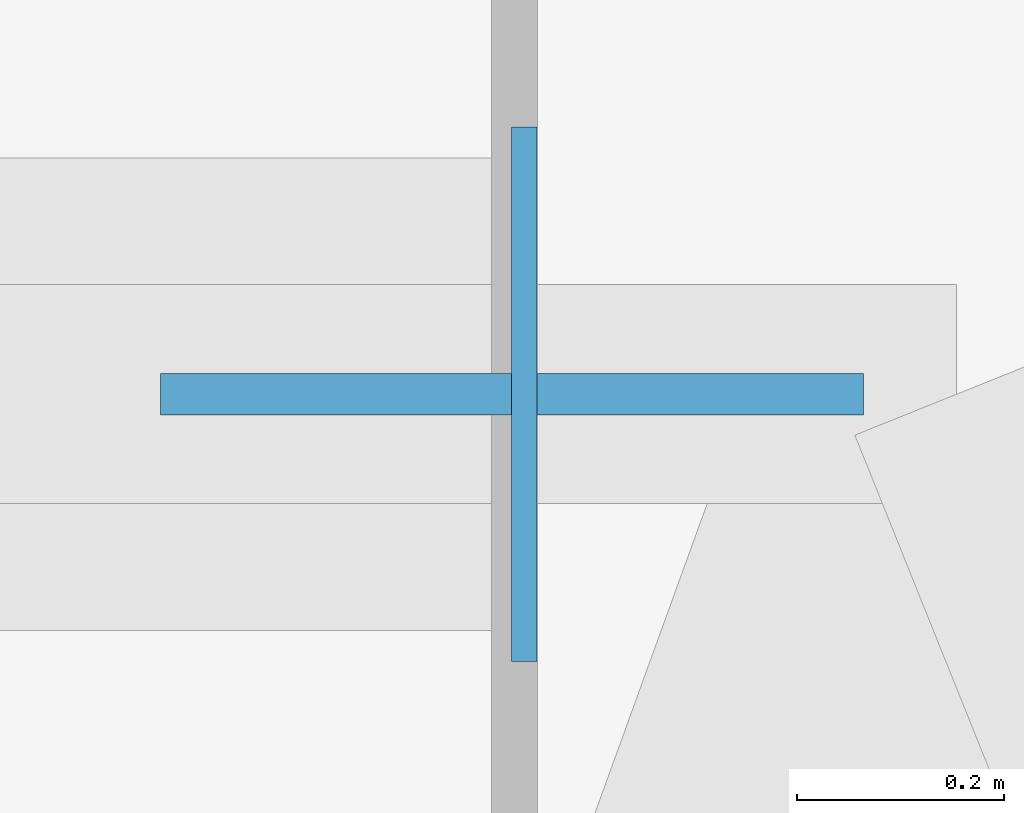
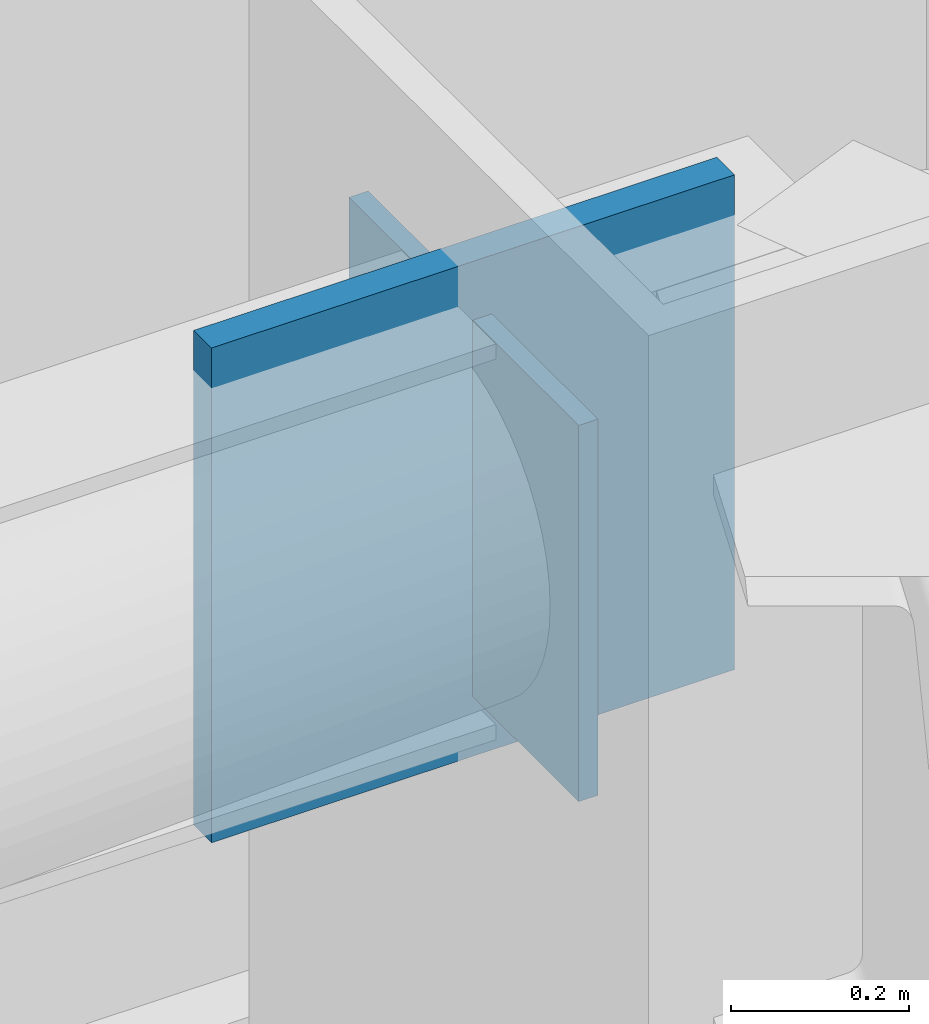
# One storey, part 6 of 16: 2 plates.
"""IFC4 building model written with IfcOpenShell, lengths in metres."""

from ifc_helpers import new_model, si_unit, direction, frame, origin, origin_2d, place, context, subcontext, project, spatial, rectangle, extrude, material, layer, layer_set, type_object, element, save


model = new_model("IFC4")

# Units and contexts
model_context = context("Model", 3, precision=1e-05, world=origin(), true_north=direction((0.0, 1.0)))
body_context = subcontext(model_context, "Body", "Model", "MODEL_VIEW")
ifc_project = project(units=[si_unit("LENGTHUNIT", "METRE"), si_unit("AREAUNIT", "SQUARE_METRE"), si_unit("VOLUMEUNIT", "CUBIC_METRE"), si_unit("PLANEANGLEUNIT", "RADIAN"), si_unit("MASSUNIT", "GRAM", prefix="KILO")], contexts=[model_context])

# Site, building, storey
site_placement = place(None, origin())
site = spatial("IfcSite", under=ifc_project, at=site_placement, CompositionType="ELEMENT")
building_placement = place(site_placement, origin())
building = spatial("IfcBuilding", under=site, at=building_placement, Name="Khamvora Tower", CompositionType="ELEMENT")
storey_placement = place(building_placement, frame((0.0, 0.0, 134.75)))
storey = spatial("IfcBuildingStorey", under=building, at=storey_placement, Name="L34", CompositionType="ELEMENT", Elevation=134.75)

# Plates
ifc_material_1 = material(Name="Steel S355", Category="steel")
ifc_layer_1 = layer(ifc_material_1, 0.02490234375)
ifc_layer_set_1 = layer_set([ifc_layer_1], Name="Steel S355")
plate_type_1 = type_object("IfcPlateType", Name="PL-CAP-25", PredefinedType="SHEET", material=ifc_layer_set_1)
plate_1_placement = place(storey_placement, frame((49.531982421875, 47.300048828125, 2.886474609375), z_axis=(0.0, 0.0, 1.0), x_axis=(1.0, 0.0, 0.0)))
element("IfcPlate", 1, at=plate_1_placement, inside=storey, type_object=plate_type_1, Name="L34 hollow section steel end cap plate 0783", PredefinedType="SHEET", context=body_context, shape_type="SweptSolid", body=[
    extrude(rectangle(XDim=0.02490234375, YDim=0.51708984375, at=origin_2d()), origin(), (0.0, 0.0, 1.0), 0.51708984375),
])
ifc_material_2 = material(Name="Steel S460", Category="steel")
ifc_layer_2 = layer(ifc_material_2, 0.0400390625)
ifc_layer_set_2 = layer_set([ifc_layer_2], Name="Steel S460")
plate_type_2 = type_object("IfcPlateType", Name="PLT-GUS-40", PredefinedType="SHEET", material=ifc_layer_set_2)
plate_2_placement = place(storey_placement, frame((49.52001953125, 47.300048828125, 2.80419921875), z_axis=(0.0, 0.0, 1.0), x_axis=(1.0, 0.0, 0.0)))
element("IfcPlate", 2, at=plate_2_placement, inside=storey, type_object=plate_type_2, Name="L34 brace connection node gusset plate 0216", PredefinedType="SHEET", context=body_context, shape_type="SweptSolid", body=[
    extrude(rectangle(XDim=0.679931640625, YDim=0.0400390625, at=origin_2d()), origin(), (0.0, 0.0, 1.0), 0.679931640625),
])

save(model, "model.ifc")
